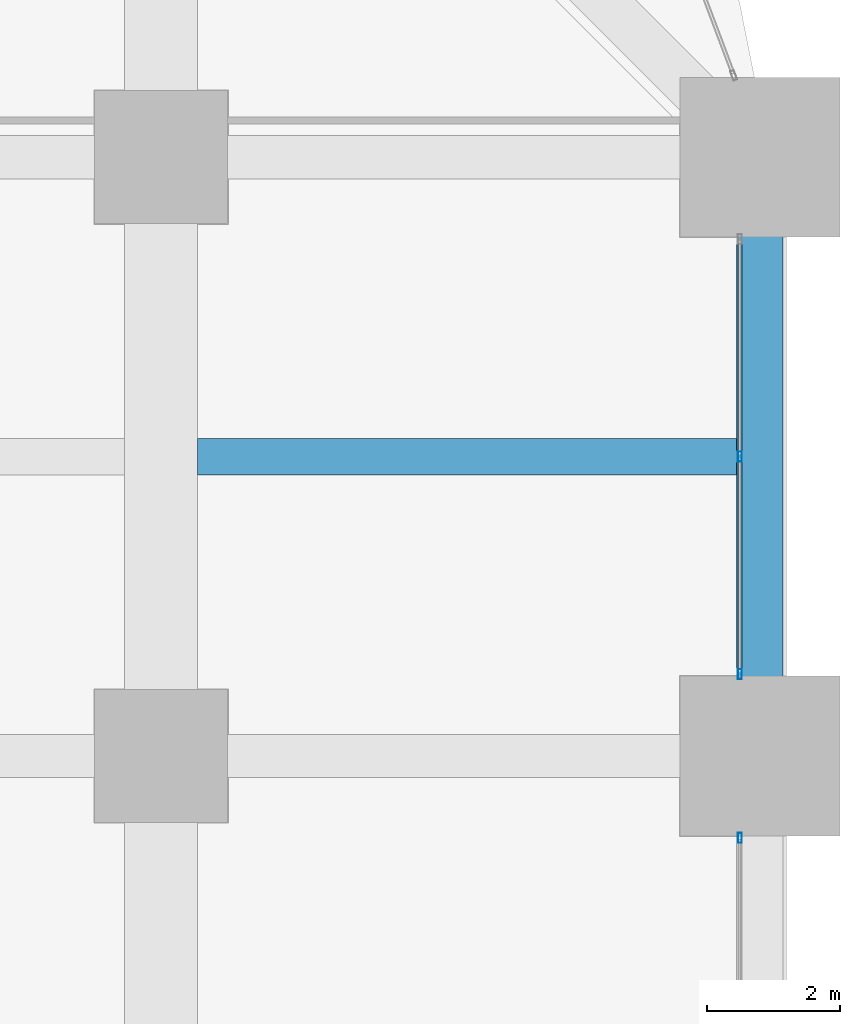
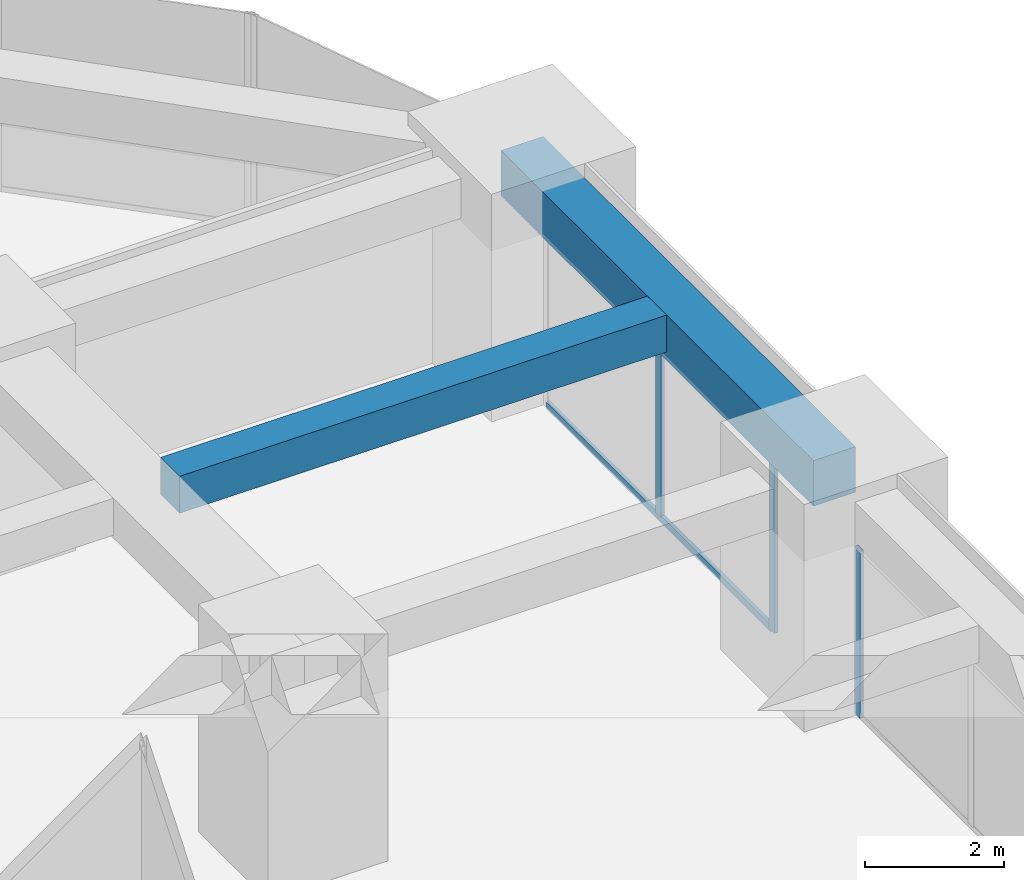
# One storey, part 23 of 39: 4 members, 2 beams, 2 elements without a shape of their own.
"""IFC4 building model written with IfcOpenShell, lengths in metres."""

from ifc_helpers import new_model, si_unit, direction, frame, origin, origin_2d, place, context, subcontext, project, spatial, rectangle, hollow_rectangle, extrude, material, material_profile, profile_set, type_object, element, aggregate, save


model = new_model("IFC4")

# Units and contexts
model_context = context("Model", 3, precision=1e-05, world=origin(), true_north=direction((0.0, 1.0)))
body_context = subcontext(model_context, "Body", "Model", "MODEL_VIEW")
ifc_project = project(units=[si_unit("LENGTHUNIT", "METRE"), si_unit("AREAUNIT", "SQUARE_METRE"), si_unit("VOLUMEUNIT", "CUBIC_METRE"), si_unit("PLANEANGLEUNIT", "RADIAN"), si_unit("MASSUNIT", "GRAM", prefix="KILO")], contexts=[model_context])

# Site, building, storey
site_placement = place(None, origin())
site = spatial("IfcSite", under=ifc_project, at=site_placement, CompositionType="ELEMENT")
building_placement = place(site_placement, origin())
building = spatial("IfcBuilding", under=site, at=building_placement, Name="Zorevar Civic Tower", CompositionType="ELEMENT")
storey_placement = place(building_placement, frame((0.0, 0.0, 117.0)))
storey = spatial("IfcBuildingStorey", under=building, at=storey_placement, Name="L28", CompositionType="ELEMENT", Elevation=117.0)

# Beam
ifc_material_1 = material(Name="Concrete C50/60", Category="concrete")
ifc_material_profile_1 = material_profile(ifc_material_1, rectangle(XDim=0.550048828125, YDim=0.64990234375, at=origin_2d()), Name="RC 550x650")
ifc_profile_set_1 = profile_set([ifc_material_profile_1], Name="Concrete C50/60")
beam_type_1 = type_object("IfcBeamType", Name="Beam RC 550x650", PredefinedType="BEAM", material=ifc_profile_set_1)
beam_1_placement = place(storey_placement, frame((54.550048828125, 31.5, 3.425048828125), z_axis=(1.0, 0.0, 0.0), x_axis=(0.0, 1.0, 0.0)))
element("IfcBeam", 1, at=beam_1_placement, inside=storey, type_object=beam_type_1, Name="Secondary beam L29", PredefinedType="BEAM", context=body_context, shape_type="SweptSolid", body=[
    extrude(rectangle(XDim=0.550048828125, YDim=0.64990234375, at=origin_2d()), origin(), (0.0, 0.0, 1.0), 8.099853515625),
])

# Curtain wall, member
ifc_material_2 = material(Name="Dark grey solar-control glass in black aluminium frame", Category="aluminium")
curtain_wall_type = type_object("IfcCurtainWallType", Name="Curtain wall CW3 mid zone", PredefinedType="NOTDEFINED", material=ifc_material_2)
curtain_wall_1_placement = place(storey_placement, origin())
curtain_wall_1 = element("IfcCurtainWall", 2, at=curtain_wall_1_placement, inside=storey, type_object=curtain_wall_type, Name="CW3 L28", PredefinedType="NOTDEFINED")
ifc_material_3 = material(Name="Aluminium, black anodised", Category="aluminium")
ifc_material_profile_2 = material_profile(ifc_material_3, hollow_rectangle(XDim=0.06005859375, YDim=0.14990234375, WallThickness=0.00390625, at=origin_2d()), Name="AL 150x60x4")
ifc_profile_set_2 = profile_set([ifc_material_profile_2], Name="Aluminium, black anodised")
member_type_1 = type_object("IfcMemberType", Name="CW3 mullion AL 150x60x4", PredefinedType="MULLION", material=ifc_profile_set_2)
member_1_placement = place(storey_placement, frame((62.699951171875, 25.77001953125, 0.0), z_axis=(0.0, 0.0, 1.0), x_axis=(-1.0, 0.0, 0.0)))
member_1 = element("IfcMember", 3, at=member_1_placement, type_object=member_type_1, Name="CW3 mullion 3", PredefinedType="MULLION", context=body_context, shape_type="SweptSolid", body=[
    extrude(hollow_rectangle(XDim=0.06005859375, YDim=0.14990234375, WallThickness=0.00390625, at=origin_2d()), origin(), (0.0, 0.0, 1.0), 2.949951171875),
])
aggregate(curtain_wall_1, [member_1])

# Curtain wall, members
curtain_wall_2_placement = place(storey_placement, origin())
curtain_wall_2 = element("IfcCurtainWall", 4, at=curtain_wall_2_placement, inside=storey, type_object=curtain_wall_type, Name="CW3 L28", PredefinedType="NOTDEFINED")
member_2_placement = place(storey_placement, frame((62.699951171875, 28.22998046875, 0.0), z_axis=(0.0, 0.0, 1.0), x_axis=(-1.0, 0.0, 0.0)))
member_2 = element("IfcMember", 5, at=member_2_placement, type_object=member_type_1, Name="CW3 mullion 1", PredefinedType="MULLION", context=body_context, shape_type="SweptSolid", body=[
    extrude(hollow_rectangle(XDim=0.06005859375, YDim=0.14990234375, WallThickness=0.00390625, at=origin_2d()), origin(), (0.0, 0.0, 1.0), 2.949951171875),
])
member_3_placement = place(storey_placement, frame((62.699951171875, 31.5, 0.06005859375), z_axis=(0.0, 0.0, 1.0), x_axis=(-1.0, 0.0, 0.0)))
member_3 = element("IfcMember", 6, at=member_3_placement, type_object=member_type_1, Name="CW3 mullion 2", PredefinedType="MULLION", context=body_context, shape_type="SweptSolid", body=[
    extrude(hollow_rectangle(XDim=0.06005859375, YDim=0.14990234375, WallThickness=0.00390625, at=origin_2d()), origin(), (0.0, 0.0, 1.0), 2.889892578125),
])
ifc_material_4 = material(Name="Aluminium, black anodised", Category="aluminium")
ifc_material_profile_3 = material_profile(ifc_material_4, hollow_rectangle(XDim=0.06005859375, YDim=0.1201171875, WallThickness=0.0029296875, at=origin_2d()), Name="AL 120x60x3")
ifc_profile_set_3 = profile_set([ifc_material_profile_3], Name="Aluminium, black anodised")
member_type_2 = type_object("IfcMemberType", Name="CW3 transom AL 120x60x3", PredefinedType="USERDEFINED", material=ifc_profile_set_3)
member_4_placement = place(storey_placement, frame((62.699951171875, 28.260009765625, 0.030029296875), z_axis=(0.0, 1.0, 0.0), x_axis=(-1.0, 0.0, 0.0)))
member_4 = element("IfcMember", 7, at=member_4_placement, type_object=member_type_2, Name="CW3 sill transom", ObjectType="TRANSOM", PredefinedType="USERDEFINED", context=body_context, shape_type="SweptSolid", body=[
    extrude(hollow_rectangle(XDim=0.06005859375, YDim=0.1201171875, WallThickness=0.0029296875, at=origin_2d()), origin(), (0.0, 0.0, 1.0), 6.47998046875),
])
aggregate(curtain_wall_2, [member_2, member_3, member_4])

# Beam
ifc_material_5 = material(Name="Concrete C50/60", Category="concrete")
ifc_material_profile_4 = material_profile(ifc_material_5, rectangle(XDim=0.699951171875, YDim=0.800048828125, at=origin_2d()), Name="RC 700x800")
ifc_profile_set_4 = profile_set([ifc_material_profile_4], Name="Concrete C50/60")
beam_type_2 = type_object("IfcBeamType", Name="Edge beam RC 700x800", PredefinedType="SPANDREL", material=ifc_profile_set_4)
beam_2_placement = place(storey_placement, frame((63.0, 27.0, 3.35009765625), z_axis=(0.0, 1.0, 0.0), x_axis=(-1.0, 0.0, 0.0)))
element("IfcBeam", 8, at=beam_2_placement, inside=storey, type_object=beam_type_2, Name="Edge beam L29", PredefinedType="SPANDREL", context=body_context, shape_type="SweptSolid", body=[
    extrude(rectangle(XDim=0.699951171875, YDim=0.800048828125, at=origin_2d()), origin(), (0.0, 0.0, 1.0), 9.0),
])

save(model, "model.ifc")
